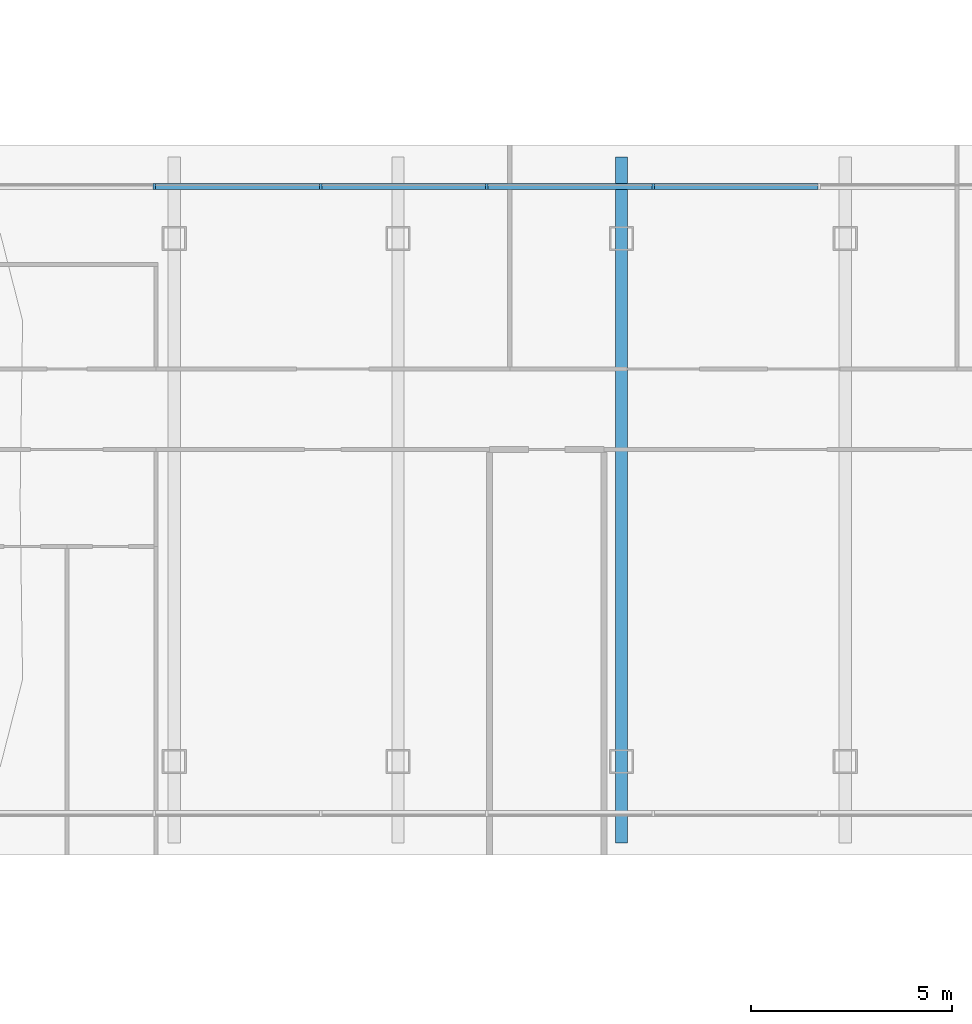
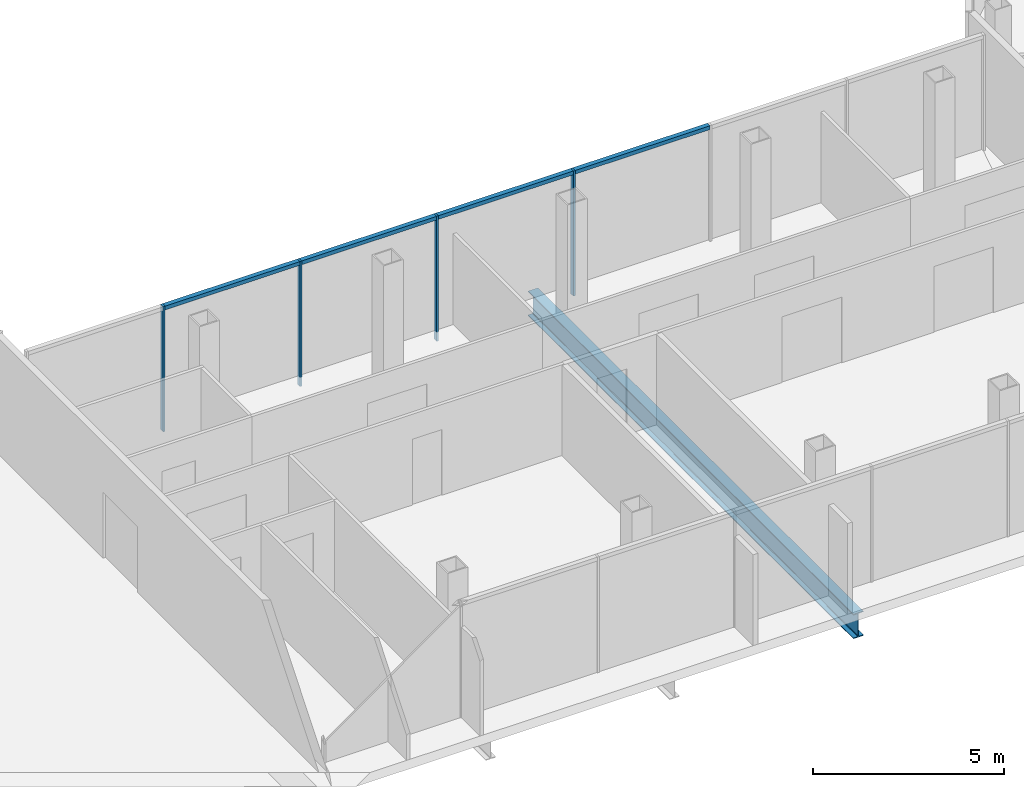
# One storey, part 8 of 26: 8 members, 1 beam, 1 element without a shape of its own.
"""IFC4 building model written with IfcOpenShell, lengths in metres."""

from ifc_helpers import new_model, si_unit, direction, frame, origin, origin_2d, place, context, subcontext, project, spatial, rectangle, i_section, extrude, material, material_profile, profile_set, type_object, element, aggregate, save


model = new_model("IFC4")

# Units and contexts
model_context = context("Model", 3, precision=1e-05, world=origin(), true_north=direction((0.0, 1.0)))
body_context = subcontext(model_context, "Body", "Model", "MODEL_VIEW")
ifc_project = project(units=[si_unit("LENGTHUNIT", "METRE"), si_unit("AREAUNIT", "SQUARE_METRE"), si_unit("VOLUMEUNIT", "CUBIC_METRE"), si_unit("PLANEANGLEUNIT", "RADIAN"), si_unit("MASSUNIT", "GRAM", prefix="KILO")], contexts=[model_context])

# Site, building, storey
site_placement = place(None, origin())
site = spatial("IfcSite", under=ifc_project, at=site_placement, CompositionType="ELEMENT")
building_placement = place(site_placement, origin())
building = spatial("IfcBuilding", under=site, at=building_placement, Name="Ogive Gate Towers", CompositionType="ELEMENT")
storey_placement = place(building_placement, frame((0.0, 0.0, 156.800048828125)))
storey = spatial("IfcBuildingStorey", under=building, at=storey_placement, Name="L37", CompositionType="ELEMENT", Elevation=156.800048828125)

# Beam
ifc_material_1 = material(Name="Steel SM460", Category="steel")
ifc_material_profile_1 = material_profile(ifc_material_1, i_section(OverallWidth=0.300048828125, OverallDepth=0.7900390625, WebThickness=0.014892578125, FlangeThickness=0.028076171875, FilletRadius=0.030029296875, at=origin_2d()), Name="HE 800 A")
ifc_profile_set_1 = profile_set([ifc_material_profile_1], Name="Steel SM460")
beam_type = type_object("IfcBeamType", Name="Block floor beam HE 800 A", PredefinedType="BEAM", material=ifc_profile_set_1)
beam_placement = place(storey_placement, frame((1.282470703125, -8.51708984375, -0.695068359375), z_axis=(0.0, 1.0, 0.0), x_axis=(-1.0, 0.0, 0.0)))
element("IfcBeam", 1, at=beam_placement, inside=storey, type_object=beam_type, Name="BR/L37/SBM003", PredefinedType="BEAM", context=body_context, shape_type="SweptSolid", body=[
    extrude(i_section(OverallWidth=0.300048828125, OverallDepth=0.7900390625, WebThickness=0.014892578125, FlangeThickness=0.028076171875, FilletRadius=0.030029296875, at=origin_2d()), origin(), (0.0, 0.0, 1.0), 17.0341796875),
])

# Curtain wall, members
ifc_material_2 = material(Name="Pale metal aluminium", Category="aluminium")
curtain_wall_type = type_object("IfcCurtainWallType", Name="Gate block facade", PredefinedType="NOTDEFINED", material=ifc_material_2)
curtain_wall_placement = place(storey_placement, origin())
curtain_wall = element("IfcCurtainWall", 2, at=curtain_wall_placement, inside=storey, type_object=curtain_wall_type, Name="CW3 BR ECW02", PredefinedType="NOTDEFINED")
ifc_material_profile_2 = material_profile(ifc_material_2, rectangle(XDim=0.139892578125, YDim=0.06005859375, at=origin_2d()), Name="60 x 140 aluminium box")
ifc_profile_set_2 = profile_set([ifc_material_profile_2], Name="Pale metal aluminium")
member_type_1 = type_object("IfcMemberType", Name="Gate block facade mullion 60 x 140", PredefinedType="MULLION", material=ifc_profile_set_2)
member_1_placement = place(storey_placement, frame((2.0654296875, 7.787109375, -0.300048828125), z_axis=(0.0, 0.0, 1.0), x_axis=(0.0, 1.0, 0.0)))
member_1 = element("IfcMember", 3, at=member_1_placement, type_object=member_type_1, Name="CW3 mullion", PredefinedType="MULLION", context=body_context, shape_type="SweptSolid", body=[
    extrude(rectangle(XDim=0.139892578125, YDim=0.06005859375, at=origin_2d()), origin(), (0.0, 0.0, 1.0), 4.0),
])
member_2_placement = place(storey_placement, frame((-2.0654296875, 7.787109375, -0.300048828125), z_axis=(0.0, 0.0, 1.0), x_axis=(0.0, 1.0, 0.0)))
member_2 = element("IfcMember", 4, at=member_2_placement, type_object=member_type_1, Name="CW3 mullion", PredefinedType="MULLION", context=body_context, shape_type="SweptSolid", body=[
    extrude(rectangle(XDim=0.139892578125, YDim=0.06005859375, at=origin_2d()), origin(), (0.0, 0.0, 1.0), 4.0),
])
member_3_placement = place(storey_placement, frame((-6.1962890625, 7.787109375, -0.300048828125), z_axis=(0.0, 0.0, 1.0), x_axis=(0.0, 1.0, 0.0)))
member_3 = element("IfcMember", 5, at=member_3_placement, type_object=member_type_1, Name="CW3 mullion", PredefinedType="MULLION", context=body_context, shape_type="SweptSolid", body=[
    extrude(rectangle(XDim=0.139892578125, YDim=0.06005859375, at=origin_2d()), origin(), (0.0, 0.0, 1.0), 4.0),
])
member_4_placement = place(storey_placement, frame((-10.327392578125, 7.787109375, -0.300048828125), z_axis=(0.0, 0.0, 1.0), x_axis=(0.0, 1.0, 0.0)))
member_4 = element("IfcMember", 6, at=member_4_placement, type_object=member_type_1, Name="CW3 mullion", PredefinedType="MULLION", context=body_context, shape_type="SweptSolid", body=[
    extrude(rectangle(XDim=0.139892578125, YDim=0.06005859375, at=origin_2d()), origin(), (0.0, 0.0, 1.0), 4.0),
])
ifc_material_profile_3 = material_profile(ifc_material_2, rectangle(XDim=0.139892578125, YDim=0.1201171875, at=origin_2d()), Name="120 x 140 aluminium box")
ifc_profile_set_3 = profile_set([ifc_material_profile_3], Name="Pale metal aluminium")
member_type_2 = type_object("IfcMemberType", Name="Gate block facade transom 120 x 140", PredefinedType="USERDEFINED", material=ifc_profile_set_3)
member_5_placement = place(storey_placement, frame((6.16650390625, 7.787109375, 3.639892578125), z_axis=(-1.0, 0.0, 0.0), x_axis=(0.0, -1.0, 0.0)))
member_5 = element("IfcMember", 7, at=member_5_placement, type_object=member_type_2, Name="CW3 transom", ObjectType="TRANSOM", PredefinedType="USERDEFINED", context=body_context, shape_type="SweptSolid", body=[
    extrude(rectangle(XDim=0.139892578125, YDim=0.1201171875, at=origin_2d()), origin(), (0.0, 0.0, 1.0), 4.071044921875),
])
member_6_placement = place(storey_placement, frame((2.035400390625, 7.787109375, 3.639892578125), z_axis=(-1.0, 0.0, 0.0), x_axis=(0.0, -1.0, 0.0)))
member_6 = element("IfcMember", 8, at=member_6_placement, type_object=member_type_2, Name="CW3 transom", ObjectType="TRANSOM", PredefinedType="USERDEFINED", context=body_context, shape_type="SweptSolid", body=[
    extrude(rectangle(XDim=0.139892578125, YDim=0.1201171875, at=origin_2d()), origin(), (0.0, 0.0, 1.0), 4.07080078125),
])
member_7_placement = place(storey_placement, frame((-2.095458984375, 7.787109375, 3.639892578125), z_axis=(-1.0, 0.0, 0.0), x_axis=(0.0, -1.0, 0.0)))
member_7 = element("IfcMember", 9, at=member_7_placement, type_object=member_type_2, Name="CW3 transom", ObjectType="TRANSOM", PredefinedType="USERDEFINED", context=body_context, shape_type="SweptSolid", body=[
    extrude(rectangle(XDim=0.139892578125, YDim=0.1201171875, at=origin_2d()), origin(), (0.0, 0.0, 1.0), 4.071044921875),
])
member_8_placement = place(storey_placement, frame((-6.226318359375, 7.787109375, 3.639892578125), z_axis=(-1.0, 0.0, 0.0), x_axis=(0.0, -1.0, 0.0)))
member_8 = element("IfcMember", 10, at=member_8_placement, type_object=member_type_2, Name="CW3 transom", ObjectType="TRANSOM", PredefinedType="USERDEFINED", context=body_context, shape_type="SweptSolid", body=[
    extrude(rectangle(XDim=0.139892578125, YDim=0.1201171875, at=origin_2d()), origin(), (0.0, 0.0, 1.0), 4.071044921875),
])
aggregate(curtain_wall, [member_1, member_5, member_2, member_6, member_3, member_7, member_4, member_8])

save(model, "model.ifc")
